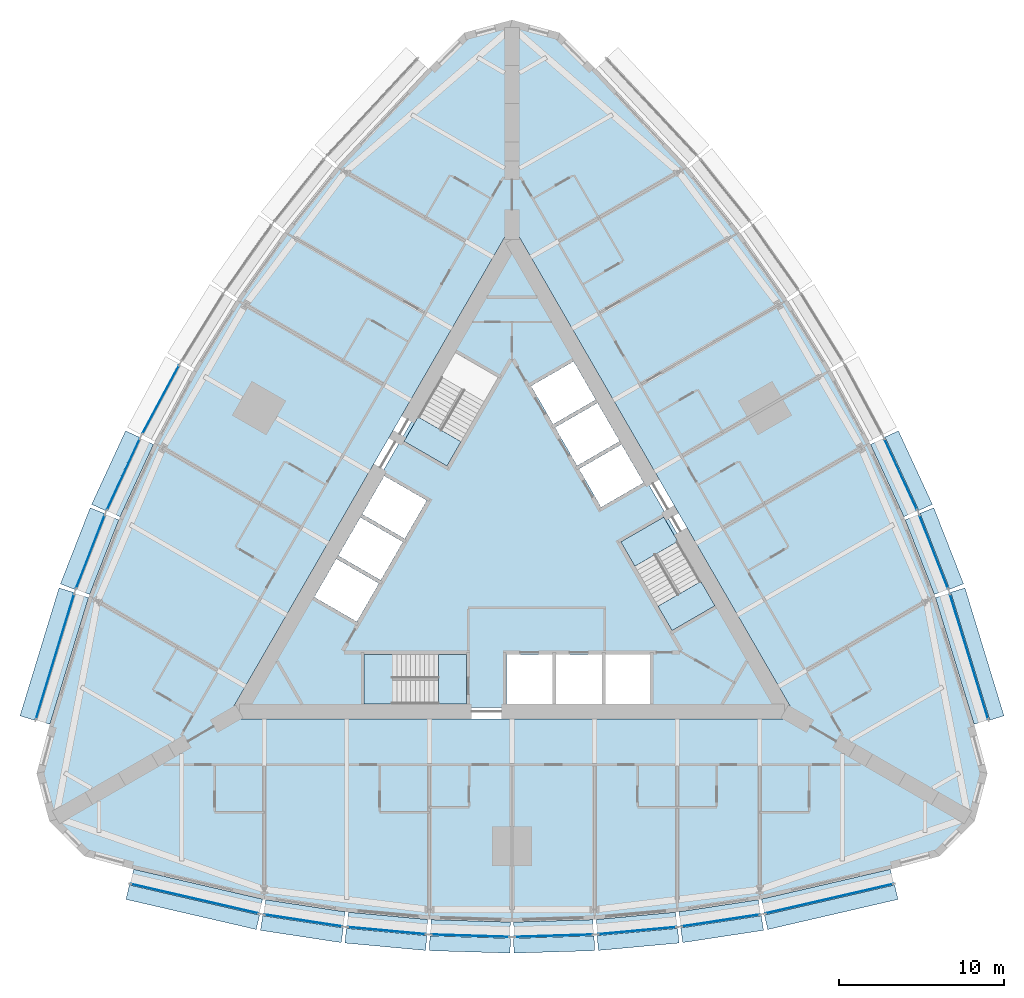
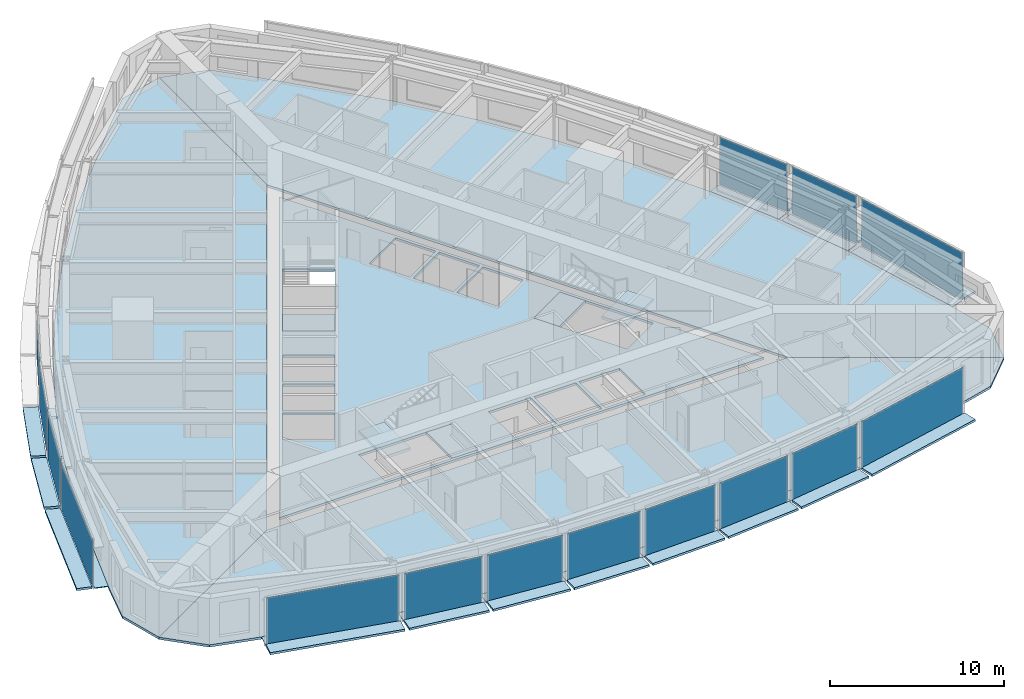
# One storey, part 6 of 14: 43 plates, 9 slabs, 18 elements without a shape of their own.
"""IFC4 building model written with IfcOpenShell, lengths in metres."""

from ifc_helpers import new_model, si_unit, direction, frame, origin, origin_2d, place, context, subcontext, project, spatial, polyline, rectangle, outline, extrude, material, layer, layer_set, type_object, element, aggregate, save


model = new_model("IFC4")

# Units and contexts
model_context = context("Model", 3, precision=1e-05, world=origin(), true_north=direction((0.0, 1.0)))
body_context = subcontext(model_context, "Body", "Model", "MODEL_VIEW")
ifc_project = project(units=[si_unit("LENGTHUNIT", "METRE"), si_unit("AREAUNIT", "SQUARE_METRE"), si_unit("VOLUMEUNIT", "CUBIC_METRE"), si_unit("PLANEANGLEUNIT", "RADIAN"), si_unit("MASSUNIT", "GRAM", prefix="KILO")], contexts=[model_context])

# Site, building, storey
site_placement = place(None, origin())
site = spatial("IfcSite", under=ifc_project, at=site_placement, CompositionType="ELEMENT")
building_placement = place(site_placement, origin())
building = spatial("IfcBuilding", under=site, at=building_placement, Name="Trikona Tower", CompositionType="ELEMENT")
storey_placement = place(building_placement, frame((0.0, 0.0, 89.699951171875)))
storey = spatial("IfcBuildingStorey", under=building, at=storey_placement, Name="L23", CompositionType="ELEMENT", Elevation=89.699951171875)

# Plates
ifc_material_1 = material(Name="Aluminium bar grating", Category="aluminium")
ifc_layer_1 = layer(ifc_material_1, 0.050048828125)
ifc_layer_set_1 = layer_set([ifc_layer_1], Name="Cavity catwalk grating")
plate_type_1 = type_object("IfcPlateType", Name="Cavity catwalk grating", PredefinedType="USERDEFINED", material=ifc_layer_set_1)
plate_1_placement = place(storey_placement, frame((-19.09228515625, -20.377197265625, -0.0498046875), z_axis=(0.0, 0.0, 1.0), x_axis=(0.974277718622, -0.225350675607, 0.0)))
element("IfcPlate", 1, at=plate_1_placement, inside=storey, type_object=plate_type_1, Name="Cavity catwalk L23-00", ObjectType="CATWALK GRATING", PredefinedType="USERDEFINED", context=body_context, shape_type="SweptSolid", body=[
    extrude(rectangle(XDim=8.01123046875, YDim=0.820068359375, at=origin_2d()), origin(), (0.0, 0.0, 1.0), 0.050048828125),
])
plate_2_placement = place(storey_placement, frame((-12.561767578125, -21.688720703125, -0.0498046875), z_axis=(0.0, 0.0, 1.0), x_axis=(0.988617896768, -0.150448177754, 0.0)))
element("IfcPlate", 2, at=plate_2_placement, inside=storey, type_object=plate_type_1, Name="Cavity catwalk L23-01", ObjectType="CATWALK GRATING", PredefinedType="USERDEFINED", context=body_context, shape_type="SweptSolid", body=[
    extrude(rectangle(XDim=4.857666015625, YDim=0.820068359375, at=origin_2d()), origin(), (0.0, 0.0, 1.0), 0.050048828125),
])
plate_3_placement = place(storey_placement, frame((-7.537353515625, -22.300537109375, -0.0498046875), z_axis=(0.0, 0.0, 1.0), x_axis=(0.995858098326, -0.090921108655, 0.0)))
element("IfcPlate", 3, at=plate_3_placement, inside=storey, type_object=plate_type_1, Name="Cavity catwalk L23-02", ObjectType="CATWALK GRATING", PredefinedType="USERDEFINED", context=body_context, shape_type="SweptSolid", body=[
    extrude(rectangle(XDim=4.82080078125, YDim=0.820068359375, at=origin_2d()), origin(), (0.0, 0.0, 1.0), 0.050048828125),
])
for number, where, z_axis, x_axis, name in (
    (4, (-2.512451171875, -22.606201171875, -0.0498046875), (0.0, 0.0, 1.0), (0.999537048889, -0.030425119525, 0.0), "Cavity catwalk L23-03"),
    (5, (2.512451171875, -22.606201171875, -0.0498046875), (0.0, 0.0, 1.0), (0.999537048889, 0.030425119525, 0.0), "Cavity catwalk L23-04"),
):
    element("IfcPlate", number, at=place(storey_placement, frame(where, z_axis=z_axis, x_axis=x_axis)), inside=storey, type_object=plate_type_1, Name=name, ObjectType="CATWALK GRATING", PredefinedType="USERDEFINED", context=body_context, shape_type="SweptSolid", body=[
        extrude(rectangle(XDim=4.80224609375, YDim=0.820068359375, at=origin_2d()), origin(), (0.0, 0.0, 1.0), 0.050048828125),
    ])
plate_4_placement = place(storey_placement, frame((7.537353515625, -22.300537109375, -0.0498046875), z_axis=(0.0, 0.0, 1.0), x_axis=(0.995858098326, 0.090921108655, 0.0)))
element("IfcPlate", 6, at=plate_4_placement, inside=storey, type_object=plate_type_1, Name="Cavity catwalk L23-05", ObjectType="CATWALK GRATING", PredefinedType="USERDEFINED", context=body_context, shape_type="SweptSolid", body=[
    extrude(rectangle(XDim=4.82080078125, YDim=0.820068359375, at=origin_2d()), origin(), (0.0, 0.0, 1.0), 0.050048828125),
])
plate_5_placement = place(storey_placement, frame((12.561767578125, -21.688720703125, -0.0498046875), z_axis=(0.0, 0.0, 1.0), x_axis=(0.988617896768, 0.150448177754, 0.0)))
element("IfcPlate", 7, at=plate_5_placement, inside=storey, type_object=plate_type_1, Name="Cavity catwalk L23-06", ObjectType="CATWALK GRATING", PredefinedType="USERDEFINED", context=body_context, shape_type="SweptSolid", body=[
    extrude(rectangle(XDim=4.857666015625, YDim=0.820068359375, at=origin_2d()), origin(), (0.0, 0.0, 1.0), 0.050048828125),
])
for number, where, z_axis, x_axis, name in (
    (8, (19.09228515625, -20.377197265625, -0.0498046875), (0.0, 0.0, 1.0), (0.974277718622, 0.225350675607, 0.0), "Cavity catwalk L23-07"),
    (9, (27.193359375, -6.345947265625, -0.0498046875), (0.0, 0.0, 1.0), (-0.291979449475, 0.956424592471, 0.0), "Cavity catwalk L23-12"),
):
    element("IfcPlate", number, at=place(storey_placement, frame(where, z_axis=z_axis, x_axis=x_axis)), inside=storey, type_object=plate_type_1, Name=name, ObjectType="CATWALK GRATING", PredefinedType="USERDEFINED", context=body_context, shape_type="SweptSolid", body=[
        extrude(rectangle(XDim=8.01123046875, YDim=0.820068359375, at=origin_2d()), origin(), (0.0, 0.0, 1.0), 0.050048828125),
    ])
plate_6_placement = place(storey_placement, frame((25.06396484375, -0.034423828125, -0.0498046875), z_axis=(0.0, 0.0, 1.0), x_axis=(-0.364008876551, 0.931395478726, 0.0)))
element("IfcPlate", 10, at=plate_6_placement, inside=storey, type_object=plate_type_1, Name="Cavity catwalk L23-13", ObjectType="CATWALK GRATING", PredefinedType="USERDEFINED", context=body_context, shape_type="SweptSolid", body=[
    extrude(rectangle(XDim=4.857666015625, YDim=0.820068359375, at=origin_2d()), origin(), (0.0, 0.0, 1.0), 0.050048828125),
])
for number, where, z_axis, x_axis, name in (
    (11, (23.081298828125, 4.622802734375, -0.0498046875), (0.0, 0.0, 1.0), (-0.41919381307, 0.907896771161, 0.0), "Cavity catwalk L23-14"),
    (12, (-23.081298828125, 4.622802734375, -0.0498046875), (0.0, 0.0, 1.0), (-0.41919381307, -0.907896771161, 0.0), "Cavity catwalk L23-29"),
):
    element("IfcPlate", number, at=place(storey_placement, frame(where, z_axis=z_axis, x_axis=x_axis)), inside=storey, type_object=plate_type_1, Name=name, ObjectType="CATWALK GRATING", PredefinedType="USERDEFINED", context=body_context, shape_type="SweptSolid", body=[
        extrude(rectangle(XDim=4.82080078125, YDim=0.820068359375, at=origin_2d()), origin(), (0.0, 0.0, 1.0), 0.050048828125),
    ])
plate_7_placement = place(storey_placement, frame((-25.06396484375, -0.034423828125, -0.0498046875), z_axis=(0.0, 0.0, 1.0), x_axis=(-0.364008876551, -0.931395478726, 0.0)))
element("IfcPlate", 13, at=plate_7_placement, inside=storey, type_object=plate_type_1, Name="Cavity catwalk L23-30", ObjectType="CATWALK GRATING", PredefinedType="USERDEFINED", context=body_context, shape_type="SweptSolid", body=[
    extrude(rectangle(XDim=4.857666015625, YDim=0.820068359375, at=origin_2d()), origin(), (0.0, 0.0, 1.0), 0.050048828125),
])
plate_8_placement = place(storey_placement, frame((-27.193359375, -6.345947265625, -0.0498046875), z_axis=(0.0, 0.0, 1.0), x_axis=(-0.291979449475, -0.956424592471, 0.0)))
element("IfcPlate", 14, at=plate_8_placement, inside=storey, type_object=plate_type_1, Name="Cavity catwalk L23-31", ObjectType="CATWALK GRATING", PredefinedType="USERDEFINED", context=body_context, shape_type="SweptSolid", body=[
    extrude(rectangle(XDim=8.01123046875, YDim=0.820068359375, at=origin_2d()), origin(), (0.0, 0.0, 1.0), 0.050048828125),
])

# Slabs
ifc_material_2 = material(Name="Concrete f'c 5000 psi lightweight on composite steel deck", Category="concrete")
ifc_layer_2 = layer(ifc_material_2, 0.1650390625)
ifc_layer_set_2 = layer_set([ifc_layer_2], Name="Composite floor slab 165")
slab_type_1 = type_object("IfcSlabType", Name="Composite floor slab 165", PredefinedType="FLOOR", material=ifc_layer_set_2)
slab_1_placement = place(storey_placement, frame((0.0, 0.0, -0.1650390625)))
element("IfcSlab", 15, at=slab_1_placement, inside=storey, type_object=slab_type_1, Name="Floor slab L23 core", PredefinedType="FLOOR", context=body_context, shape_type="SweptSolid", body=[
    extrude(outline(polyline([(-16.06689453125, -9.2763671875), (16.06689453125, -9.2763671875), (0.0, 18.552490234375), (-16.06689453125, -9.2763671875)]), holes=[polyline([(12.285400390625, -3.126220703125), (9.185302734375, 2.2431640625), (6.587158203125, 0.7431640625), (9.687255859375, -4.626220703125), (12.285400390625, -3.126220703125)]), polyline([(8.340087890625, -9.06640625), (8.340087890625, -6.086181640625), (5.659912109375, -6.086181640625), (5.659912109375, -9.06640625), (8.340087890625, -9.06640625)]), polyline([(5.390869140625, 2.835205078125), (7.9716796875, 4.3251953125), (6.631591796875, 6.646240234375), (4.05078125, 5.15625), (5.390869140625, 2.835205078125)]), polyline([(2.600830078125, 7.667724609375), (3.94091796875, 5.3466796875), (6.521484375, 6.8369140625), (5.181640625, 9.15771484375), (2.600830078125, 7.667724609375)]), polyline([(5.43994140625, -6.086181640625), (2.659912109375, -6.086181640625), (2.659912109375, -9.06640625), (5.43994140625, -9.06640625), (5.43994140625, -6.086181640625)]), polyline([(3.731689453125, 11.669189453125), (1.15087890625, 10.17919921875), (2.490966796875, 7.858154296875), (5.071533203125, 9.34814453125), (3.731689453125, 11.669189453125)]), polyline([(-0.340087890625, -6.086181640625), (-0.340087890625, -9.06640625), (2.43994140625, -9.06640625), (2.43994140625, -6.086181640625), (-0.340087890625, -6.086181640625)]), polyline([(-3.435302734375, 12.202392578125), (-6.535400390625, 6.8330078125), (-3.937255859375, 5.3330078125), (-0.837158203125, 10.702392578125), (-3.435302734375, 12.202392578125)]), polyline([(-8.949951171875, -9.076416015625), (-2.75, -9.076416015625), (-2.75, -6.076416015625), (-8.949951171875, -6.076416015625), (-8.949951171875, -9.076416015625)]), polyline([(-5.15087890625, 3.2509765625), (-7.731689453125, 4.740966796875), (-9.071533203125, 2.419921875), (-6.490966796875, 0.929931640625), (-5.15087890625, 3.2509765625)]), polyline([(-7.94091796875, -1.581298828125), (-6.600830078125, 0.739501953125), (-9.181640625, 2.2294921875), (-10.521484375, -0.09130859375), (-7.94091796875, -1.581298828125)]), polyline([(-11.9716796875, -2.602783203125), (-9.390869140625, -4.093017578125), (-8.05078125, -1.77197265625), (-10.631591796875, -0.281982421875), (-11.9716796875, -2.602783203125)])]), origin(), (0.0, 0.0, 1.0), 0.1650390625),
])
slab_2_placement = place(storey_placement, frame((0.0, 0.0, -0.1650390625)))
element("IfcSlab", 16, at=slab_2_placement, inside=storey, type_object=slab_type_1, Name="Floor slab L23 south", PredefinedType="FLOOR", context=body_context, shape_type="SweptSolid", body=[
    extrude(outline(polyline([(25.88671875, -18.279052734375), (28.0, -16.165771484375), (17.279296875, -9.976318359375), (-17.279296875, -9.976318359375), (-28.0, -16.165771484375), (-25.88671875, -18.279052734375), (-23.0, -19.052490234375), (-15.0, -20.903076171875), (-10.0, -21.663818359375), (-5.0, -22.120361328125), (0.0, -22.272705078125), (5.0, -22.120361328125), (10.0, -21.663818359375), (15.0, -20.903076171875), (23.0, -19.052490234375), (25.88671875, -18.279052734375)])), origin(), (0.0, 0.0, 1.0), 0.1650390625),
])
slab_3_placement = place(storey_placement, frame((0.0, 0.0, -0.1650390625)))
element("IfcSlab", 17, at=slab_3_placement, inside=storey, type_object=slab_type_1, Name="Floor slab L23 north-east", PredefinedType="FLOOR", context=body_context, shape_type="SweptSolid", body=[
    extrude(outline(polyline([(2.88671875, 31.55810546875), (0.0, 32.33154296875), (0.0, 19.95263671875), (17.279296875, -9.976318359375), (28.0, -16.165771484375), (28.7734375, -13.279052734375), (28.0, -10.392333984375), (25.6025390625, -2.538818359375), (23.761474609375, 2.171630859375), (21.65673828125, 6.72998046875), (19.28857421875, 11.13623046875), (16.65673828125, 15.390380859375), (13.761474609375, 19.4921875), (10.6025390625, 23.44189453125), (5.0, 29.44482421875), (2.88671875, 31.55810546875)])), origin(), (0.0, 0.0, 1.0), 0.1650390625),
])
slab_4_placement = place(storey_placement, frame((0.0, 0.0, -0.1650390625)))
element("IfcSlab", 18, at=slab_4_placement, inside=storey, type_object=slab_type_1, Name="Floor slab L23 north-west", PredefinedType="FLOOR", context=body_context, shape_type="SweptSolid", body=[
    extrude(outline(polyline([(0.0, 19.95263671875), (0.0, 32.33154296875), (-2.88671875, 31.55810546875), (-5.0, 29.44482421875), (-10.6025390625, 23.44189453125), (-13.761474609375, 19.4921875), (-16.65673828125, 15.390380859375), (-19.28857421875, 11.13623046875), (-21.65673828125, 6.72998046875), (-23.761474609375, 2.171630859375), (-25.6025390625, -2.538818359375), (-28.0, -10.392333984375), (-28.7734375, -13.279052734375), (-28.0, -16.165771484375), (-17.279296875, -9.976318359375), (0.0, 19.95263671875)])), origin(), (0.0, 0.0, 1.0), 0.1650390625),
])

# Curtain wall, plate
ifc_material_3 = material(Name="Aluminium curtain wall system", Category="aluminium")
curtain_wall_type = type_object("IfcCurtainWallType", Name="Curtain wall DS1", PredefinedType="NOTDEFINED", material=ifc_material_3)
curtain_wall_1_placement = place(storey_placement, origin())
curtain_wall_1 = element("IfcCurtainWall", 19, at=curtain_wall_1_placement, inside=storey, type_object=curtain_wall_type, Name="Curtain wall DS1 L23", PredefinedType="NOTDEFINED")
ifc_material_4 = material(Name="Laminated clear glass", Category="glass")
ifc_layer_3 = layer(ifc_material_4, 0.028076171875)
ifc_layer_set_3 = layer_set([ifc_layer_3], Name="Glass panel DS1")
plate_type_2 = type_object("IfcPlateType", Name="Glass panel DS1", PredefinedType="CURTAIN_PANEL", material=ifc_layer_set_3)
plate_9_placement = place(storey_placement, frame((-19.202880859375, -20.854736328125, 0.0), z_axis=(0.0, 0.0, 1.0), x_axis=(0.974279427173, -0.225343288756, 0.0)))
plate_9 = element("IfcPlate", 20, at=plate_9_placement, type_object=plate_type_2, Name="CW-DS1 panel 1.1", PredefinedType="CURTAIN_PANEL", context=body_context, shape_type="SweptSolid", body=[
    extrude(rectangle(XDim=7.93115234375, YDim=0.028076171875, at=origin_2d()), origin(), (0.0, 0.0, 1.0), 3.320068359375),
])
aggregate(curtain_wall_1, [plate_9])

curtain_wall_2_placement = place(storey_placement, origin())
curtain_wall_2 = element("IfcCurtainWall", 21, at=curtain_wall_2_placement, inside=storey, type_object=curtain_wall_type, Name="Curtain wall DS1 L23", PredefinedType="NOTDEFINED")
plate_10_placement = place(storey_placement, frame((-12.635498046875, -22.173095703125, 0.0), z_axis=(0.0, 0.0, 1.0), x_axis=(0.988619492156, -0.150437693845, 0.0)))
plate_10 = element("IfcPlate", 22, at=plate_10_placement, type_object=plate_type_2, Name="CW-DS1 panel 1.1", PredefinedType="CURTAIN_PANEL", context=body_context, shape_type="SweptSolid", body=[
    extrude(rectangle(XDim=4.777587890625, YDim=0.028076171875, at=origin_2d()), origin(), (0.0, 0.0, 1.0), 3.320068359375),
])
aggregate(curtain_wall_2, [plate_10])

curtain_wall_3_placement = place(storey_placement, origin())
curtain_wall_3 = element("IfcCurtainWall", 23, at=curtain_wall_3_placement, inside=storey, type_object=curtain_wall_type, Name="Curtain wall DS1 L23", PredefinedType="NOTDEFINED")
plate_11_placement = place(storey_placement, frame((-7.581787109375, -22.788330078125, 0.0), z_axis=(0.0, 0.0, 1.0), x_axis=(0.995857840485, -0.090923932737, 0.0)))
plate_11 = element("IfcPlate", 24, at=plate_11_placement, type_object=plate_type_2, Name="CW-DS1 panel 1.1", PredefinedType="CURTAIN_PANEL", context=body_context, shape_type="SweptSolid", body=[
    extrude(rectangle(XDim=4.74072265625, YDim=0.028076171875, at=origin_2d()), origin(), (0.0, 0.0, 1.0), 3.320068359375),
])
aggregate(curtain_wall_3, [plate_11])

curtain_wall_4_placement = place(storey_placement, origin())
curtain_wall_4 = element("IfcCurtainWall", 25, at=curtain_wall_4_placement, inside=storey, type_object=curtain_wall_type, Name="Curtain wall DS1 L23", PredefinedType="NOTDEFINED")
plate_12_placement = place(storey_placement, frame((-2.52734375, -23.09619140625, 0.0), z_axis=(0.0, 0.0, 1.0), x_axis=(0.999536695965, -0.030436711692, 0.0)))
plate_12 = element("IfcPlate", 26, at=plate_12_placement, type_object=plate_type_2, Name="CW-DS1 panel 1.1", PredefinedType="CURTAIN_PANEL", context=body_context, shape_type="SweptSolid", body=[
    extrude(rectangle(XDim=4.72216796875, YDim=0.028076171875, at=origin_2d()), origin(), (0.0, 0.0, 1.0), 3.320068359375),
])
aggregate(curtain_wall_4, [plate_12])

curtain_wall_5_placement = place(storey_placement, origin())
curtain_wall_5 = element("IfcCurtainWall", 27, at=curtain_wall_5_placement, inside=storey, type_object=curtain_wall_type, Name="Curtain wall DS1 L23", PredefinedType="NOTDEFINED")
plate_13_placement = place(storey_placement, frame((2.52734375, -23.09619140625, 0.0), z_axis=(0.0, 0.0, 1.0), x_axis=(0.999536695965, 0.030436711692, 0.0)))
plate_13 = element("IfcPlate", 28, at=plate_13_placement, type_object=plate_type_2, Name="CW-DS1 panel 1.1", PredefinedType="CURTAIN_PANEL", context=body_context, shape_type="SweptSolid", body=[
    extrude(rectangle(XDim=4.72216796875, YDim=0.028076171875, at=origin_2d()), origin(), (0.0, 0.0, 1.0), 3.320068359375),
])
aggregate(curtain_wall_5, [plate_13])

curtain_wall_6_placement = place(storey_placement, origin())
curtain_wall_6 = element("IfcCurtainWall", 29, at=curtain_wall_6_placement, inside=storey, type_object=curtain_wall_type, Name="Curtain wall DS1 L23", PredefinedType="NOTDEFINED")
plate_14_placement = place(storey_placement, frame((7.581787109375, -22.788330078125, 0.0), z_axis=(0.0, 0.0, 1.0), x_axis=(0.995857840485, 0.090923932737, 0.0)))
plate_14 = element("IfcPlate", 30, at=plate_14_placement, type_object=plate_type_2, Name="CW-DS1 panel 1.1", PredefinedType="CURTAIN_PANEL", context=body_context, shape_type="SweptSolid", body=[
    extrude(rectangle(XDim=4.74072265625, YDim=0.028076171875, at=origin_2d()), origin(), (0.0, 0.0, 1.0), 3.320068359375),
])
aggregate(curtain_wall_6, [plate_14])

curtain_wall_7_placement = place(storey_placement, origin())
curtain_wall_7 = element("IfcCurtainWall", 31, at=curtain_wall_7_placement, inside=storey, type_object=curtain_wall_type, Name="Curtain wall DS1 L23", PredefinedType="NOTDEFINED")
plate_15_placement = place(storey_placement, frame((12.635498046875, -22.173095703125, 0.0), z_axis=(0.0, 0.0, 1.0), x_axis=(0.988619492156, 0.150437693845, 0.0)))
plate_15 = element("IfcPlate", 32, at=plate_15_placement, type_object=plate_type_2, Name="CW-DS1 panel 1.1", PredefinedType="CURTAIN_PANEL", context=body_context, shape_type="SweptSolid", body=[
    extrude(rectangle(XDim=4.777587890625, YDim=0.028076171875, at=origin_2d()), origin(), (0.0, 0.0, 1.0), 3.320068359375),
])
aggregate(curtain_wall_7, [plate_15])

curtain_wall_8_placement = place(storey_placement, origin())
curtain_wall_8 = element("IfcCurtainWall", 33, at=curtain_wall_8_placement, inside=storey, type_object=curtain_wall_type, Name="Curtain wall DS1 L23", PredefinedType="NOTDEFINED")
plate_16_placement = place(storey_placement, frame((19.202880859375, -20.854736328125, 0.0), z_axis=(0.0, 0.0, 1.0), x_axis=(0.974279427173, 0.225343288756, 0.0)))
plate_16 = element("IfcPlate", 34, at=plate_16_placement, type_object=plate_type_2, Name="CW-DS1 panel 1.1", PredefinedType="CURTAIN_PANEL", context=body_context, shape_type="SweptSolid", body=[
    extrude(rectangle(XDim=7.93115234375, YDim=0.028076171875, at=origin_2d()), origin(), (0.0, 0.0, 1.0), 3.320068359375),
])
aggregate(curtain_wall_8, [plate_16])

curtain_wall_9_placement = place(storey_placement, origin())
curtain_wall_9 = element("IfcCurtainWall", 35, at=curtain_wall_9_placement, inside=storey, type_object=curtain_wall_type, Name="Curtain wall DS1 L23", PredefinedType="NOTDEFINED")
plate_17_placement = place(storey_placement, frame((27.662109375, -6.202880859375, 0.0), z_axis=(0.0, 0.0, 1.0), x_axis=(-0.291984287868, 0.956423115383, 0.0)))
plate_17 = element("IfcPlate", 36, at=plate_17_placement, type_object=plate_type_2, Name="CW-DS1 panel 1.1", PredefinedType="CURTAIN_PANEL", context=body_context, shape_type="SweptSolid", body=[
    extrude(rectangle(XDim=7.93115234375, YDim=0.028076171875, at=origin_2d()), origin(), (0.0, 0.0, 1.0), 3.320068359375),
])
aggregate(curtain_wall_9, [plate_17])

curtain_wall_10_placement = place(storey_placement, origin())
curtain_wall_10 = element("IfcCurtainWall", 37, at=curtain_wall_10_placement, inside=storey, type_object=curtain_wall_type, Name="Curtain wall DS1 L23", PredefinedType="NOTDEFINED")
plate_18_placement = place(storey_placement, frame((25.520263671875, 0.14404296875, 0.0), z_axis=(0.0, 0.0, 1.0), x_axis=(-0.36400756977, 0.931395989443, 0.0)))
plate_18 = element("IfcPlate", 38, at=plate_18_placement, type_object=plate_type_2, Name="CW-DS1 panel 1.1", PredefinedType="CURTAIN_PANEL", context=body_context, shape_type="SweptSolid", body=[
    extrude(rectangle(XDim=4.777587890625, YDim=0.028076171875, at=origin_2d()), origin(), (0.0, 0.0, 1.0), 3.320068359375),
])
aggregate(curtain_wall_10, [plate_18])

curtain_wall_11_placement = place(storey_placement, origin())
curtain_wall_11 = element("IfcCurtainWall", 39, at=curtain_wall_11_placement, inside=storey, type_object=curtain_wall_type, Name="Curtain wall DS1 L23", PredefinedType="NOTDEFINED")
plate_19_placement = place(storey_placement, frame((23.5263671875, 4.828125, 0.0), z_axis=(0.0, 0.0, 1.0), x_axis=(-0.419190155352, 0.907898459992, 0.0)))
plate_19 = element("IfcPlate", 40, at=plate_19_placement, type_object=plate_type_2, Name="CW-DS1 panel 1.1", PredefinedType="CURTAIN_PANEL", context=body_context, shape_type="SweptSolid", body=[
    extrude(rectangle(XDim=4.740966796875, YDim=0.028076171875, at=origin_2d()), origin(), (0.0, 0.0, 1.0), 3.320068359375),
])
aggregate(curtain_wall_11, [plate_19])

curtain_wall_12_placement = place(storey_placement, origin())
curtain_wall_12 = element("IfcCurtainWall", 41, at=curtain_wall_12_placement, inside=storey, type_object=curtain_wall_type, Name="Curtain wall DS1 L23", PredefinedType="NOTDEFINED")
plate_20_placement = place(storey_placement, frame((-21.265380859375, 9.359130859375, 0.0), z_axis=(0.0, 0.0, 1.0), x_axis=(-0.473408350896, -0.880843080975, 0.0)))
plate_20 = element("IfcPlate", 42, at=plate_20_placement, type_object=plate_type_2, Name="CW-DS1 panel 1.1", PredefinedType="CURTAIN_PANEL", context=body_context, shape_type="SweptSolid", body=[
    extrude(rectangle(XDim=4.72216796875, YDim=0.028076171875, at=origin_2d()), origin(), (0.0, 0.0, 1.0), 3.320068359375),
])
aggregate(curtain_wall_12, [plate_20])

curtain_wall_13_placement = place(storey_placement, origin())
curtain_wall_13 = element("IfcCurtainWall", 43, at=curtain_wall_13_placement, inside=storey, type_object=curtain_wall_type, Name="Curtain wall DS1 L23", PredefinedType="NOTDEFINED")
plate_21_placement = place(storey_placement, frame((-23.5263671875, 4.828125, 0.0), z_axis=(0.0, 0.0, 1.0), x_axis=(-0.419190155352, -0.907898459992, 0.0)))
plate_21 = element("IfcPlate", 44, at=plate_21_placement, type_object=plate_type_2, Name="CW-DS1 panel 1.1", PredefinedType="CURTAIN_PANEL", context=body_context, shape_type="SweptSolid", body=[
    extrude(rectangle(XDim=4.740966796875, YDim=0.028076171875, at=origin_2d()), origin(), (0.0, 0.0, 1.0), 3.320068359375),
])
aggregate(curtain_wall_13, [plate_21])

curtain_wall_14_placement = place(storey_placement, origin())
curtain_wall_14 = element("IfcCurtainWall", 45, at=curtain_wall_14_placement, inside=storey, type_object=curtain_wall_type, Name="Curtain wall DS1 L23", PredefinedType="NOTDEFINED")
plate_22_placement = place(storey_placement, frame((-25.520263671875, 0.14404296875, 0.0), z_axis=(0.0, 0.0, 1.0), x_axis=(-0.36400756977, -0.931395989443, 0.0)))
plate_22 = element("IfcPlate", 46, at=plate_22_placement, type_object=plate_type_2, Name="CW-DS1 panel 1.1", PredefinedType="CURTAIN_PANEL", context=body_context, shape_type="SweptSolid", body=[
    extrude(rectangle(XDim=4.777587890625, YDim=0.028076171875, at=origin_2d()), origin(), (0.0, 0.0, 1.0), 3.320068359375),
])
aggregate(curtain_wall_14, [plate_22])

curtain_wall_15_placement = place(storey_placement, origin())
curtain_wall_15 = element("IfcCurtainWall", 47, at=curtain_wall_15_placement, inside=storey, type_object=curtain_wall_type, Name="Curtain wall DS1 L23", PredefinedType="NOTDEFINED")
plate_23_placement = place(storey_placement, frame((-27.662109375, -6.202880859375, 0.0), z_axis=(0.0, 0.0, 1.0), x_axis=(-0.291984287868, -0.956423115383, 0.0)))
plate_23 = element("IfcPlate", 48, at=plate_23_placement, type_object=plate_type_2, Name="CW-DS1 panel 1.1", PredefinedType="CURTAIN_PANEL", context=body_context, shape_type="SweptSolid", body=[
    extrude(rectangle(XDim=7.93115234375, YDim=0.028076171875, at=origin_2d()), origin(), (0.0, 0.0, 1.0), 3.320068359375),
])
aggregate(curtain_wall_15, [plate_23])

# Plates
ifc_material_5 = material(Name="Aluminium plate fin, pale anodised, on stainless steel outriggers", Category="steel")
ifc_layer_4 = layer(ifc_material_5, 0.14990234375)
ifc_layer_set_4 = layer_set([ifc_layer_4], Name="Outer skin fin 900")
plate_type_3 = type_object("IfcPlateType", Name="Outer skin fin 900", PredefinedType="USERDEFINED", material=ifc_layer_set_4)
plate_24_placement = place(storey_placement, frame((-19.322265625, -21.37109375, 0.0), z_axis=(0.0, 0.0, 1.0), x_axis=(0.974277718622, -0.225350675607, 0.0)))
element("IfcPlate", 49, at=plate_24_placement, inside=storey, type_object=plate_type_3, Name="Outer skin fin L23-00", ObjectType="FIN", PredefinedType="USERDEFINED", context=body_context, shape_type="SweptSolid", body=[
    extrude(rectangle(XDim=8.09130859375, YDim=0.89990234375, at=origin_2d()), origin(), (0.0, 0.0, 1.0), 0.14990234375),
])
plate_25_placement = place(storey_placement, frame((-12.715087890625, -22.697265625, 0.0), z_axis=(0.0, 0.0, 1.0), x_axis=(0.988617896768, -0.150448177754, 0.0)))
element("IfcPlate", 50, at=plate_25_placement, inside=storey, type_object=plate_type_3, Name="Outer skin fin L23-01", ObjectType="FIN", PredefinedType="USERDEFINED", context=body_context, shape_type="SweptSolid", body=[
    extrude(rectangle(XDim=4.9375, YDim=0.89990234375, at=origin_2d()), origin(), (0.0, 0.0, 1.0), 0.14990234375),
])
plate_26_placement = place(storey_placement, frame((-7.6298828125, -23.316162109375, 0.0), z_axis=(0.0, 0.0, 1.0), x_axis=(0.995858098326, -0.090921108655, 0.0)))
element("IfcPlate", 51, at=plate_26_placement, inside=storey, type_object=plate_type_3, Name="Outer skin fin L23-02", ObjectType="FIN", PredefinedType="USERDEFINED", context=body_context, shape_type="SweptSolid", body=[
    extrude(rectangle(XDim=4.90087890625, YDim=0.89990234375, at=origin_2d()), origin(), (0.0, 0.0, 1.0), 0.14990234375),
])
for number, where, z_axis, x_axis, name in (
    (52, (-2.54345703125, -23.625732421875, 0.0), (0.0, 0.0, 1.0), (0.999537048889, -0.030425119525, 0.0), "Outer skin fin L23-03"),
    (53, (2.54345703125, -23.625732421875, 0.0), (0.0, 0.0, 1.0), (0.999537048889, 0.030425119525, 0.0), "Outer skin fin L23-04"),
):
    element("IfcPlate", number, at=place(storey_placement, frame(where, z_axis=z_axis, x_axis=x_axis)), inside=storey, type_object=plate_type_3, Name=name, ObjectType="FIN", PredefinedType="USERDEFINED", context=body_context, shape_type="SweptSolid", body=[
        extrude(rectangle(XDim=4.88232421875, YDim=0.89990234375, at=origin_2d()), origin(), (0.0, 0.0, 1.0), 0.14990234375),
    ])
plate_27_placement = place(storey_placement, frame((7.6298828125, -23.316162109375, 0.0), z_axis=(0.0, 0.0, 1.0), x_axis=(0.995858098326, 0.090921108655, 0.0)))
element("IfcPlate", 54, at=plate_27_placement, inside=storey, type_object=plate_type_3, Name="Outer skin fin L23-05", ObjectType="FIN", PredefinedType="USERDEFINED", context=body_context, shape_type="SweptSolid", body=[
    extrude(rectangle(XDim=4.90087890625, YDim=0.89990234375, at=origin_2d()), origin(), (0.0, 0.0, 1.0), 0.14990234375),
])
plate_28_placement = place(storey_placement, frame((12.715087890625, -22.697265625, 0.0), z_axis=(0.0, 0.0, 1.0), x_axis=(0.988617896768, 0.150448177754, 0.0)))
element("IfcPlate", 55, at=plate_28_placement, inside=storey, type_object=plate_type_3, Name="Outer skin fin L23-06", ObjectType="FIN", PredefinedType="USERDEFINED", context=body_context, shape_type="SweptSolid", body=[
    extrude(rectangle(XDim=4.9375, YDim=0.89990234375, at=origin_2d()), origin(), (0.0, 0.0, 1.0), 0.14990234375),
])
for number, where, z_axis, x_axis, name in (
    (56, (19.322265625, -21.37109375, 0.0), (0.0, 0.0, 1.0), (0.974277718622, 0.225350675607, 0.0), "Outer skin fin L23-07"),
    (57, (28.1689453125, -6.048095703125, 0.0), (0.0, 0.0, 1.0), (-0.291979449475, 0.956424592471, 0.0), "Outer skin fin L23-12"),
):
    element("IfcPlate", number, at=place(storey_placement, frame(where, z_axis=z_axis, x_axis=x_axis)), inside=storey, type_object=plate_type_3, Name=name, ObjectType="FIN", PredefinedType="USERDEFINED", context=body_context, shape_type="SweptSolid", body=[
        extrude(rectangle(XDim=8.09130859375, YDim=0.89990234375, at=origin_2d()), origin(), (0.0, 0.0, 1.0), 0.14990234375),
    ])
plate_29_placement = place(storey_placement, frame((26.013916015625, 0.3369140625, 0.0), z_axis=(0.0, 0.0, 1.0), x_axis=(-0.364008876551, 0.931395478726, 0.0)))
element("IfcPlate", 58, at=plate_29_placement, inside=storey, type_object=plate_type_3, Name="Outer skin fin L23-13", ObjectType="FIN", PredefinedType="USERDEFINED", context=body_context, shape_type="SweptSolid", body=[
    extrude(rectangle(XDim=4.9375, YDim=0.89990234375, at=origin_2d()), origin(), (0.0, 0.0, 1.0), 0.14990234375),
])
for number, where, z_axis, x_axis, name in (
    (59, (24.00732421875, 5.05029296875, 0.0), (0.0, 0.0, 1.0), (-0.41919381307, 0.907896771161, 0.0), "Outer skin fin L23-14"),
    (60, (-24.00732421875, 5.05029296875, 0.0), (0.0, 0.0, 1.0), (-0.41919381307, -0.907896771161, 0.0), "Outer skin fin L23-29"),
):
    element("IfcPlate", number, at=place(storey_placement, frame(where, z_axis=z_axis, x_axis=x_axis)), inside=storey, type_object=plate_type_3, Name=name, ObjectType="FIN", PredefinedType="USERDEFINED", context=body_context, shape_type="SweptSolid", body=[
        extrude(rectangle(XDim=4.90087890625, YDim=0.89990234375, at=origin_2d()), origin(), (0.0, 0.0, 1.0), 0.14990234375),
    ])
plate_30_placement = place(storey_placement, frame((-26.013916015625, 0.3369140625, 0.0), z_axis=(0.0, 0.0, 1.0), x_axis=(-0.364008876551, -0.931395478726, 0.0)))
element("IfcPlate", 61, at=plate_30_placement, inside=storey, type_object=plate_type_3, Name="Outer skin fin L23-30", ObjectType="FIN", PredefinedType="USERDEFINED", context=body_context, shape_type="SweptSolid", body=[
    extrude(rectangle(XDim=4.9375, YDim=0.89990234375, at=origin_2d()), origin(), (0.0, 0.0, 1.0), 0.14990234375),
])
plate_31_placement = place(storey_placement, frame((-28.1689453125, -6.048095703125, 0.0), z_axis=(0.0, 0.0, 1.0), x_axis=(-0.291979449475, -0.956424592471, 0.0)))
element("IfcPlate", 62, at=plate_31_placement, inside=storey, type_object=plate_type_3, Name="Outer skin fin L23-31", ObjectType="FIN", PredefinedType="USERDEFINED", context=body_context, shape_type="SweptSolid", body=[
    extrude(rectangle(XDim=8.09130859375, YDim=0.89990234375, at=origin_2d()), origin(), (0.0, 0.0, 1.0), 0.14990234375),
])

# Stair, slabs
ifc_material_6 = material(Name="Concrete f'c 5000 psi", Category="concrete")
stair_type = type_object("IfcStairType", Name="Core stair", PredefinedType="HALF_TURN_STAIR", material=ifc_material_6)
stair_1_placement = place(storey_placement, origin())
stair_1 = element("IfcStair", 63, at=stair_1_placement, inside=storey, type_object=stair_type, Name="Stair A L23", PredefinedType="HALF_TURN_STAIR")
ifc_material_7 = material(Name="Concrete f'c 5000 psi", Category="concrete")
ifc_layer_5 = layer(ifc_material_7, 0.199951171875)
ifc_layer_set_5 = layer_set([ifc_layer_5], Name="Stair landing 200")
slab_type_2 = type_object("IfcSlabType", Name="Stair landing 200", PredefinedType="LANDING", material=ifc_layer_set_5)
slab_5_placement = place(storey_placement, frame((0.0, 0.0, -0.199951171875)))
slab_5 = element("IfcSlab", 64, at=slab_5_placement, type_object=slab_type_2, Name="ST-A landing 1", PredefinedType="LANDING", context=body_context, shape_type="SweptSolid", body=[
    extrude(outline(polyline([(-4.452880859375, -6.076416015625), (-2.75, -6.076416015625), (-2.75, -9.076416015625), (-4.452880859375, -9.076416015625), (-4.452880859375, -6.076416015625)])), origin(), (0.0, 0.0, 1.0), 0.199951171875),
])
slab_6_placement = place(storey_placement, frame((0.0, 0.0, 1.5)))
slab_6 = element("IfcSlab", 65, at=slab_6_placement, type_object=slab_type_2, Name="ST-A landing 2", PredefinedType="LANDING", context=body_context, shape_type="SweptSolid", body=[
    extrude(outline(polyline([(-8.949951171875, -6.076416015625), (-7.2470703125, -6.076416015625), (-7.2470703125, -9.076416015625), (-8.949951171875, -9.076416015625), (-8.949951171875, -6.076416015625)])), origin(), (0.0, 0.0, 1.0), 0.199951171875),
])
aggregate(stair_1, [slab_5, slab_6])

stair_2_placement = place(storey_placement, origin())
stair_2 = element("IfcStair", 66, at=stair_2_placement, inside=storey, type_object=stair_type, Name="Stair B L23", PredefinedType="HALF_TURN_STAIR")
slab_7_placement = place(storey_placement, frame((0.0, 0.0, -0.199951171875)))
slab_7 = element("IfcSlab", 67, at=slab_7_placement, type_object=slab_type_2, Name="ST-B landing 1", PredefinedType="LANDING", context=body_context, shape_type="SweptSolid", body=[
    extrude(outline(polyline([(7.438720703125, -0.731689453125), (6.587158203125, 0.7431640625), (9.185302734375, 2.2431640625), (10.036865234375, 0.768310546875), (7.438720703125, -0.731689453125)])), origin(), (0.0, 0.0, 1.0), 0.199951171875),
])
slab_8_placement = place(storey_placement, frame((0.0, 0.0, 1.5)))
slab_8 = element("IfcSlab", 68, at=slab_8_placement, type_object=slab_type_2, Name="ST-B landing 2", PredefinedType="LANDING", context=body_context, shape_type="SweptSolid", body=[
    extrude(outline(polyline([(9.687255859375, -4.626220703125), (8.835693359375, -3.1513671875), (11.433837890625, -1.6513671875), (12.285400390625, -3.126220703125), (9.687255859375, -4.626220703125)])), origin(), (0.0, 0.0, 1.0), 0.199951171875),
])
aggregate(stair_2, [slab_7, slab_8])

# Stair, slab
stair_3_placement = place(storey_placement, origin())
stair_3 = element("IfcStair", 69, at=stair_3_placement, inside=storey, type_object=stair_type, Name="Stair C L23", PredefinedType="HALF_TURN_STAIR")
slab_9_placement = place(storey_placement, frame((0.0, 0.0, -0.199951171875)))
slab_9 = element("IfcSlab", 70, at=slab_9_placement, type_object=slab_type_2, Name="ST-C landing 1", PredefinedType="LANDING", context=body_context, shape_type="SweptSolid", body=[
    extrude(outline(polyline([(-3.085693359375, 6.807861328125), (-3.937255859375, 5.3330078125), (-6.535400390625, 6.8330078125), (-5.683837890625, 8.307861328125), (-3.085693359375, 6.807861328125)])), origin(), (0.0, 0.0, 1.0), 0.199951171875),
])
aggregate(stair_3, [slab_9])

save(model, "model.ifc")
